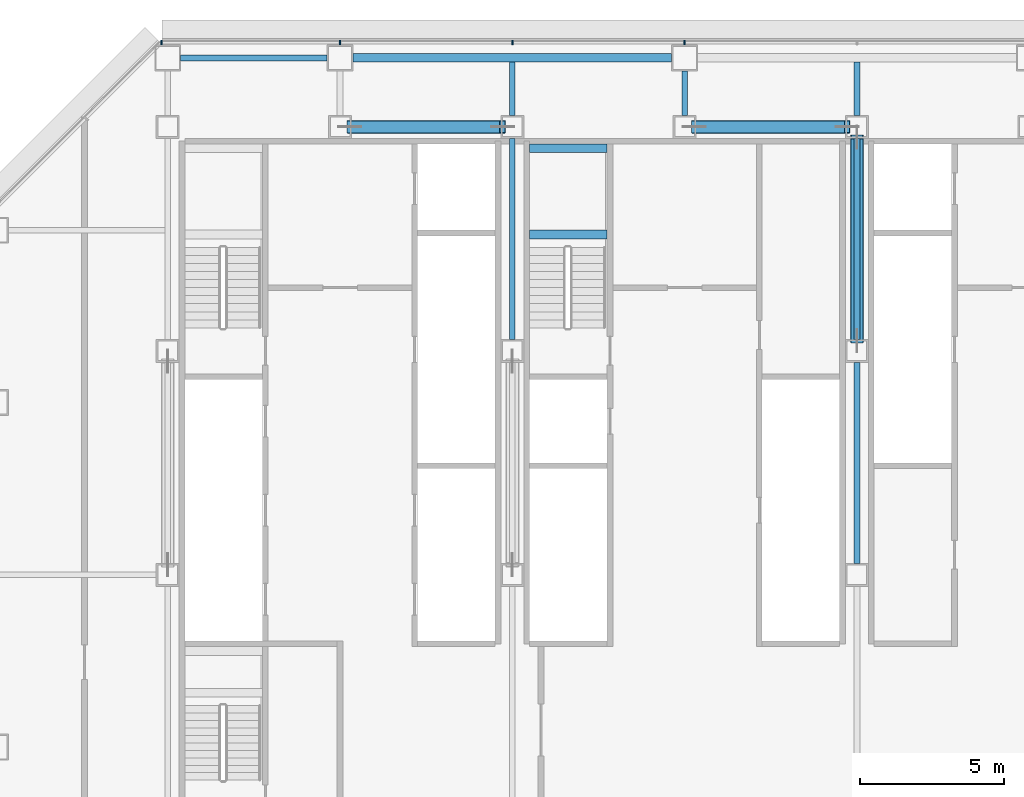
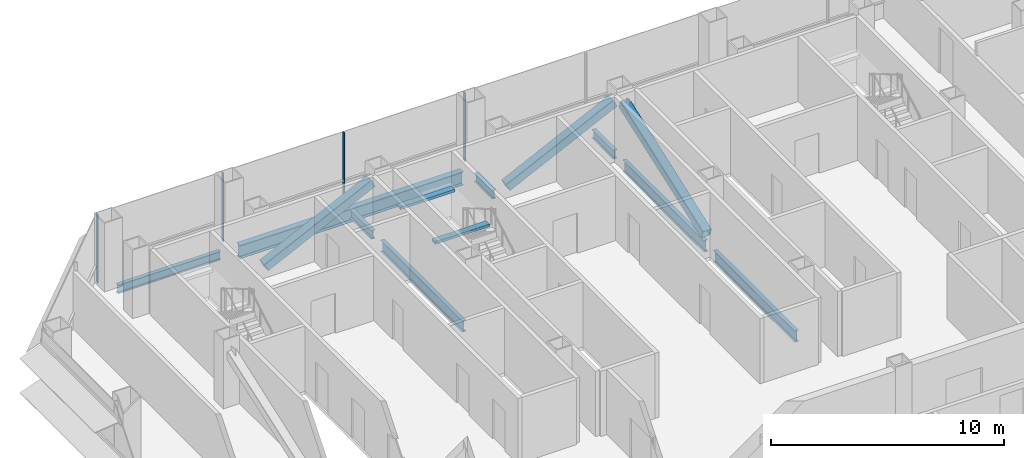
# One storey, part 12 of 26: 10 beams, 7 members, 1 element without a shape of its own.
"""IFC4 building model written with IfcOpenShell, lengths in metres."""

import ifcopenshell
import ifcopenshell.guid

model = None  # the IFC model being written
_history = None  # IfcOwnerHistory: only IFC2X3 demands one
_inside = {}  # id of a spatial element -> (the spatial element, [elements in it])
_under = {}  # id of a project, library or spatial element -> (it, [spatial elements below it])
_declared = {}  # id of a project -> (the project, [libraries it declares])
_typed = {}  # id of a type object -> (the type object, [elements of that type])
_made_of = {}  # id of a material, layer set ... -> (it, [elements and type objects made of it])


def new_model(schema):
    """Start an empty IFC model of exactly this schema.

    Asked for "IFC4X3", IfcOpenShell would pick the latest addendum, in which some entities
    have other attributes; the version numbers below select the first issue.
    IFC2X3 requires an IfcOwnerHistory on every rooted entity: one is made here for all.
    """
    global model, _history
    if schema == "IFC4X3":
        model = ifcopenshell.file(schema_version=(4, 3, 0, 0))
    else:
        model = ifcopenshell.file(schema=schema)
    _inside.clear()
    _under.clear()
    _declared.clear()
    _typed.clear()
    _made_of.clear()
    _history = None
    if model.schema == "IFC2X3":
        org = make("IfcOrganization", Name="unknown")
        user = make(
            "IfcPersonAndOrganization",
            ThePerson=make("IfcPerson", FamilyName="unknown"),
            TheOrganization=org,
        )
        app = make(
            "IfcApplication",
            ApplicationDeveloper=org,
            Version="unknown",
            ApplicationFullName="unknown",
            ApplicationIdentifier="unknown",
        )
        _history = make(
            "IfcOwnerHistory",
            OwningUser=user,
            OwningApplication=app,
            ChangeAction="ADDED",
            CreationDate=0,
        )
    return model


def make(cls, **values):
    """One entity of the class cls with the attributes given. An attribute that is None is left unset."""
    return model.create_entity(
        cls, **{name: value for name, value in values.items() if value is not None}
    )


def rooted(cls, **values):
    """An entity with a GlobalId (a new one), such as an element, a storey or a relation."""
    return make(cls, GlobalId=ifcopenshell.guid.new(), OwnerHistory=_history, **values)


def si_unit(unit_type, name, prefix=None):
    """IfcSIUnit, for example si_unit("LENGTHUNIT", "METRE", prefix="MILLI")."""
    return make("IfcSIUnit", UnitType=unit_type, Prefix=prefix, Name=name)


def assignment(units):
    """IfcUnitAssignment: the units of a project."""
    return None if units is None else make("IfcUnitAssignment", Units=units)


def point(xyz):
    """IfcCartesianPoint."""
    return None if xyz is None else make("IfcCartesianPoint", Coordinates=xyz)


def direction(xyz):
    """IfcDirection."""
    return None if xyz is None else make("IfcDirection", DirectionRatios=xyz)


def frame(location, z_axis=None, x_axis=None):
    """IfcAxis2Placement3D, a coordinate frame: its origin and axes. An axis left out is left unset."""
    return make(
        "IfcAxis2Placement3D",
        Location=point(location),
        Axis=direction(z_axis),
        RefDirection=direction(x_axis),
    )


def frame_2d(location, x_axis=None):
    """IfcAxis2Placement2D, a coordinate frame in the plane: its origin and x axis."""
    return make(
        "IfcAxis2Placement2D", Location=point(location), RefDirection=direction(x_axis)
    )


def origin():
    """The frame at (0, 0, 0) with its axes left unset."""
    return frame((0.0, 0.0, 0.0))


def origin_2d():
    """The frame at (0, 0) in the plane with its x axis left unset."""
    return frame_2d((0.0, 0.0))


def place(relative_to, where):
    """IfcLocalPlacement: puts the frame where relative to a parent placement (None: the world)."""
    return make(
        "IfcLocalPlacement", PlacementRelTo=relative_to, RelativePlacement=where
    )


def context(
    kind, dimensions, precision=None, world=None, true_north=None, identifier=None
):
    """IfcGeometricRepresentationContext, for example the 3D "Model" context."""
    return make(
        "IfcGeometricRepresentationContext",
        ContextIdentifier=identifier,
        ContextType=kind,
        CoordinateSpaceDimension=dimensions,
        Precision=precision,
        WorldCoordinateSystem=world,
        TrueNorth=true_north,
    )


def subcontext(parent, identifier, kind, view, scale=None):
    """IfcGeometricRepresentationSubContext, for example "Body" below "Model"."""
    return make(
        "IfcGeometricRepresentationSubContext",
        ContextIdentifier=identifier,
        ContextType=kind,
        ParentContext=parent,
        TargetScale=scale,
        TargetView=view,
    )


def project(units=None, contexts=None):
    """IfcProject with its units and contexts."""
    return rooted(
        "IfcProject",
        Name="project",
        RepresentationContexts=contexts,
        UnitsInContext=assignment(units),
    )


def spatial(cls, under=None, at=None, **own):
    """A site, building, storey or space (cls), placed at a placement, below another one or the project."""
    s = rooted(cls, ObjectPlacement=at, **own)
    if under is not None:
        _under.setdefault(under.id(), (under, []))[1].append(s)
    return s


def profile(cls, at=None, kind="AREA", **sizes):
    """A parametric profile (cls). Its sizes go by their IFC names, for example OverallWidth=200.0."""
    return make(cls, ProfileType=kind, Position=at, **sizes)


def rectangle(**sizes):
    """IfcRectangleProfileDef."""
    return profile("IfcRectangleProfileDef", **sizes)


def hollow_rectangle(**sizes):
    """IfcRectangleHollowProfileDef."""
    return profile("IfcRectangleHollowProfileDef", **sizes)


def i_section(**sizes):
    """IfcIShapeProfileDef."""
    return profile("IfcIShapeProfileDef", **sizes)


def extrude(swept, where, along, depth):
    """IfcExtrudedAreaSolid: the profile swept, set in the frame where, extruded along a direction by depth."""
    return make(
        "IfcExtrudedAreaSolid",
        SweptArea=swept,
        Position=where,
        ExtrudedDirection=direction(along),
        Depth=depth,
    )


def shape(context_of_items, identifier, shape_type, items):
    """IfcShapeRepresentation: the items that make up one representation, for example the "Body"."""
    return make(
        "IfcShapeRepresentation",
        ContextOfItems=context_of_items,
        RepresentationIdentifier=identifier,
        RepresentationType=shape_type,
        Items=items,
    )


def material(Name=None, Category=None):
    """IfcMaterial."""
    return make("IfcMaterial", Name=Name, Category=Category)


def material_profile(
    of_material, cross_section, Name=None, Category=None, Priority=None
):
    """IfcMaterialProfile: a cross section and its material."""
    return make(
        "IfcMaterialProfile",
        Name=Name,
        Material=of_material,
        Profile=cross_section,
        Priority=Priority,
        Category=Category,
    )


def profile_set(profiles, Name=None, composite=None):
    """IfcMaterialProfileSet."""
    return make(
        "IfcMaterialProfileSet",
        Name=Name,
        MaterialProfiles=profiles,
        CompositeProfile=composite,
    )


def made_of(thing, what):
    """Note that an element or type object is made of a material, layer set ...; save() writes the relation."""
    if what is not None:
        _made_of.setdefault(what.id(), (what, []))[1].append(thing)
    return thing


def type_object(cls, material=None, **own):
    """A type object (cls), such as IfcWallType, which elements share."""
    return made_of(rooted(cls, **own), material)


def element(
    cls,
    number,
    at=None,
    inside=None,
    cuts=None,
    type_object=None,
    material=None,
    context=None,
    identifier="Body",
    shape_type=None,
    held_by="IfcProductDefinitionShape",
    body=None,
    shapes=None,
    **own,
):
    """One element of the class cls, such as IfcWall. Its Tag is "e" and its number.

    at: its placement. inside: the storey or other place that contains it. cuts: it is an
    opening in that element (IfcRelVoidsElement). A single representation is given by context,
    identifier, shape_type and body (its items); several are given by shapes. held_by: the class
    of the entity that holds the representations. save() writes the other relations.
    """
    e = rooted(cls, Tag="e%d" % number, ObjectPlacement=at, **own)
    if body is not None:
        shapes = [shape(context, identifier, shape_type, body)]
    if shapes is not None:
        e.Representation = make(held_by, Representations=shapes)
    if inside is not None:
        _inside.setdefault(inside.id(), (inside, []))[1].append(e)
    if cuts is not None:
        rooted(
            "IfcRelVoidsElement", RelatingBuildingElement=cuts, RelatedOpeningElement=e
        )
    if type_object is not None:
        _typed.setdefault(type_object.id(), (type_object, []))[1].append(e)
    return made_of(e, material)


def aggregate(whole, parts):
    """IfcRelAggregates: a whole, such as a stair, and the parts it consists of."""
    return rooted("IfcRelAggregates", RelatingObject=whole, RelatedObjects=parts)


def save(model, path):
    """Write the relations noted so far, then the file.

    IfcRelAggregates (storeys below a building ...), IfcRelContainedInSpatialStructure (elements
    in a storey), IfcRelDefinesByType, IfcRelAssociatesMaterial and IfcRelDeclares: one each for
    every whole, place, type object, material and project.
    """
    for whole, parts in _under.values():
        aggregate(whole, parts)
    for where, things in _inside.values():
        rooted(
            "IfcRelContainedInSpatialStructure",
            RelatedElements=things,
            RelatingStructure=where,
        )
    for kind, things in _typed.values():
        rooted("IfcRelDefinesByType", RelatedObjects=things, RelatingType=kind)
    for what, things in _made_of.values():
        rooted("IfcRelAssociatesMaterial", RelatedObjects=things, RelatingMaterial=what)
    for by, libraries in _declared.values():
        rooted("IfcRelDeclares", RelatingContext=by, RelatedDefinitions=libraries)
    model.write(path)


model = new_model("IFC4")

# Units and contexts
model_context = context("Model", 3, precision=1e-05, world=origin(), true_north=direction((0.0, 1.0)))
body_context = subcontext(model_context, "Body", "Model", "MODEL_VIEW")
ifc_project = project(units=[si_unit("LENGTHUNIT", "METRE"), si_unit("AREAUNIT", "SQUARE_METRE"), si_unit("VOLUMEUNIT", "CUBIC_METRE"), si_unit("PLANEANGLEUNIT", "RADIAN"), si_unit("MASSUNIT", "GRAM", prefix="KILO")], contexts=[model_context])

# Site, building, storey
site_placement = place(None, origin())
site = spatial("IfcSite", under=ifc_project, at=site_placement, CompositionType="ELEMENT")
building_placement = place(site_placement, origin())
building = spatial("IfcBuilding", under=site, at=building_placement, Name="Sorahane Residences", CompositionType="ELEMENT")
storey_placement = place(building_placement, frame((0.0, 0.0, 71.39990234375)))
storey = spatial("IfcBuildingStorey", under=building, at=storey_placement, Name="L14", CompositionType="ELEMENT", Elevation=71.39990234375)

# Members
ifc_material_1 = material(Name="Steel Q355B", Category="steel")
ifc_material_profile_1 = material_profile(ifc_material_1, hollow_rectangle(XDim=0.449951171875, YDim=0.449951171875, WallThickness=0.02197265625, InnerFilletRadius=0.010986328125, OuterFilletRadius=0.032958984375, at=origin_2d()), Name="RHS 450x450x22")
ifc_profile_set_1 = profile_set([ifc_material_profile_1], Name="Steel Q355B")
member_type_1 = type_object("IfcMemberType", Name="Core brace RHS 450x450x22 Q355B", PredefinedType="BRACE", material=ifc_profile_set_1)
for number, where, z_axis, x_axis, name in (
    (1, (12.341064453125, 45.60009765625, 0.196533203125), (0.899894691922, 0.0, 0.436107261405), (0.0, 1.0, 0.0), "Core brace L14 y45.6-2"),
    (2, (24.341064453125, 45.60009765625, 0.196533203125), (0.899894691922, 0.0, 0.436107261405), (0.0, 1.0, 0.0), "Core brace L14 y45.6-4"),
):
    element("IfcMember", number, at=place(storey_placement, frame(where, z_axis=z_axis, x_axis=x_axis)), inside=storey, type_object=member_type_1, Name=name, PredefinedType="BRACE", context=body_context, shape_type="SweptSolid", body=[
        extrude(hollow_rectangle(XDim=0.449951171875, YDim=0.449951171875, WallThickness=0.02197265625, InnerFilletRadius=0.010986328125, OuterFilletRadius=0.032958984375, at=origin_2d()), origin(), (0.0, 0.0, 1.0), 5.909423828125),
    ])
member_1_placement = place(storey_placement, frame((30.0, 38.154296875, 0.208740234375), z_axis=(0.0, 0.940893192956, 0.338703409266), x_axis=(-1.0, 0.0, 0.0)))
element("IfcMember", 3, at=member_1_placement, inside=storey, type_object=member_type_1, Name="Core brace L14 x30-2", PredefinedType="BRACE", context=body_context, shape_type="SweptSolid", body=[
    extrude(hollow_rectangle(XDim=0.449951171875, YDim=0.449951171875, WallThickness=0.02197265625, InnerFilletRadius=0.010986328125, OuterFilletRadius=0.032958984375, at=origin_2d()), origin(), (0.0, 0.0, 1.0), 7.536865234375),
])

# Curtain wall, members
ifc_material_2 = material(Name="Dark low-e glass and black anodised aluminium", Category="aluminium")
curtain_wall_type = type_object("IfcCurtainWallType", Name="Curtain wall CW-1 Typical unitised wall", PredefinedType="NOTDEFINED", material=ifc_material_2)
curtain_wall_placement = place(storey_placement, origin())
curtain_wall = element("IfcCurtainWall", 4, at=curtain_wall_placement, inside=storey, type_object=curtain_wall_type, Name="CW-1 curtain wall L14 N1", PredefinedType="NOTDEFINED")
ifc_material_3 = material(Name="Black anodised aluminium", Category="aluminium")
ifc_material_profile_2 = material_profile(ifc_material_3, rectangle(XDim=0.159912109375, YDim=0.050048828125, at=origin_2d()), Name="Curtain wall mullion CW-1 black anodised aluminium 50x160")
ifc_profile_set_2 = profile_set([ifc_material_profile_2], Name="Black anodised aluminium")
member_type_2 = type_object("IfcMemberType", Name="Curtain wall mullion CW-1 black anodised aluminium 50x160", PredefinedType="MULLION", material=ifc_profile_set_2)
member_2_placement = place(storey_placement, frame((24.0, 48.5400390625, -0.179931640625), z_axis=(0.0, 0.0, 1.0), x_axis=(0.0, 1.0, 0.0)))
member_2 = element("IfcMember", 5, at=member_2_placement, type_object=member_type_2, Name="CW-1 mullion L14 N1.7", PredefinedType="MULLION", context=body_context, shape_type="SweptSolid", body=[
    extrude(rectangle(XDim=0.159912109375, YDim=0.050048828125, at=origin_2d()), origin(), (0.0, 0.0, 1.0), 3.60009765625),
])
member_3_placement = place(storey_placement, frame((18.0, 48.5400390625, -0.179931640625), z_axis=(0.0, 0.0, 1.0), x_axis=(0.0, 1.0, 0.0)))
member_3 = element("IfcMember", 6, at=member_3_placement, type_object=member_type_2, Name="CW-1 mullion L14 N1.8", PredefinedType="MULLION", context=body_context, shape_type="SweptSolid", body=[
    extrude(rectangle(XDim=0.159912109375, YDim=0.050048828125, at=origin_2d()), origin(), (0.0, 0.0, 1.0), 3.60009765625),
])
member_4_placement = place(storey_placement, frame((12.0, 48.5400390625, -0.179931640625), z_axis=(0.0, 0.0, 1.0), x_axis=(0.0, 1.0, 0.0)))
member_4 = element("IfcMember", 7, at=member_4_placement, type_object=member_type_2, Name="CW-1 mullion L14 N1.9", PredefinedType="MULLION", context=body_context, shape_type="SweptSolid", body=[
    extrude(rectangle(XDim=0.159912109375, YDim=0.050048828125, at=origin_2d()), origin(), (0.0, 0.0, 1.0), 3.60009765625),
])
member_5_placement = place(storey_placement, frame((5.7763671875, 48.5400390625, -0.179931640625), z_axis=(0.0, 0.0, 1.0), x_axis=(0.0, 1.0, 0.0)))
member_5 = element("IfcMember", 8, at=member_5_placement, type_object=member_type_2, Name="CW-1 mullion L14 N1.10", PredefinedType="MULLION", context=body_context, shape_type="SweptSolid", body=[
    extrude(rectangle(XDim=0.159912109375, YDim=0.050048828125, at=origin_2d()), origin(), (0.0, 0.0, 1.0), 3.60009765625),
])
aggregate(curtain_wall, [member_2, member_3, member_4, member_5])

# Beams
ifc_material_4 = material(Name="Concrete C40", Category="concrete")
ifc_material_profile_3 = material_profile(ifc_material_4, rectangle(XDim=0.300048828125, YDim=0.139892578125, at=origin_2d()), Name="300x140")
ifc_profile_set_3 = profile_set([ifc_material_profile_3], Name="Concrete C40")
beam_type_1 = type_object("IfcBeamType", Name="RC landing beam 300 x 140 Concrete C40", PredefinedType="BEAM", material=ifc_profile_set_3)
for number, where, z_axis, x_axis, name in (
    (9, (18.60009765625, 41.85009765625, 1.530029296875), (1.0, 0.0, 0.0), (0.0, 1.0, 0.0), "Landing beam"),
    (10, (18.60009765625, 44.85009765625, 1.530029296875), (1.0, 0.0, 0.0), (0.0, 1.0, 0.0), "Landing beam"),
):
    element("IfcBeam", number, at=place(storey_placement, frame(where, z_axis=z_axis, x_axis=x_axis)), inside=storey, type_object=beam_type_1, Name=name, PredefinedType="BEAM", context=body_context, shape_type="SweptSolid", body=[
        extrude(rectangle(XDim=0.300048828125, YDim=0.139892578125, at=origin_2d()), origin(), (0.0, 0.0, 1.0), 2.699951171875),
    ])
ifc_material_5 = material(Name="Steel Q355B", Category="steel")
ifc_material_profile_4 = material_profile(ifc_material_5, i_section(OverallWidth=0.199951171875, OverallDepth=0.449951171875, WebThickness=0.009033203125, FlangeThickness=0.013916015625, FilletRadius=0.02001953125, at=origin_2d()), Name="HN 450x200x9x14")
ifc_profile_set_4 = profile_set([ifc_material_profile_4], Name="Steel Q355B")
beam_type_2 = type_object("IfcBeamType", Name="Steel floor beam HN 450x200x9x14 Q355B", PredefinedType="BEAM", material=ifc_profile_set_4)
beam_1_placement = place(storey_placement, frame((6.449951171875, 48.0, -0.40478515625), z_axis=(1.0, 0.0, 0.0), x_axis=(0.0, 1.0, 0.0)))
element("IfcBeam", 11, at=beam_1_placement, inside=storey, type_object=beam_type_2, Name="Beam L14 012", PredefinedType="BEAM", context=body_context, shape_type="SweptSolid", body=[
    extrude(i_section(OverallWidth=0.199951171875, OverallDepth=0.449951171875, WebThickness=0.009033203125, FlangeThickness=0.013916015625, FilletRadius=0.02001953125, at=origin_2d()), origin(), (0.0, 0.0, 1.0), 5.10009765625),
])
beam_2_placement = place(storey_placement, frame((18.0, 46.0, -0.40478515625), z_axis=(0.0, 1.0, 0.0), x_axis=(-1.0, 0.0, 0.0)))
element("IfcBeam", 12, at=beam_2_placement, inside=storey, type_object=beam_type_2, Name="Beam L14 034", PredefinedType="BEAM", context=body_context, shape_type="SweptSolid", body=[
    extrude(i_section(OverallWidth=0.199951171875, OverallDepth=0.449951171875, WebThickness=0.009033203125, FlangeThickness=0.013916015625, FilletRadius=0.02001953125, at=origin_2d()), origin(), (0.0, 0.0, 1.0), 1.85009765625),
])
beam_3_placement = place(storey_placement, frame((24.0, 46.0, -0.40478515625), z_axis=(0.0, 1.0, 0.0), x_axis=(-1.0, 0.0, 0.0)))
element("IfcBeam", 13, at=beam_3_placement, inside=storey, type_object=beam_type_2, Name="Beam L14 036", PredefinedType="BEAM", context=body_context, shape_type="SweptSolid", body=[
    extrude(i_section(OverallWidth=0.199951171875, OverallDepth=0.449951171875, WebThickness=0.009033203125, FlangeThickness=0.013916015625, FilletRadius=0.02001953125, at=origin_2d()), origin(), (0.0, 0.0, 1.0), 1.550048828125),
])
beam_4_placement = place(storey_placement, frame((30.0, 46.0, -0.40478515625), z_axis=(0.0, 1.0, 0.0), x_axis=(-1.0, 0.0, 0.0)))
element("IfcBeam", 14, at=beam_4_placement, inside=storey, type_object=beam_type_2, Name="Beam L14 042", PredefinedType="BEAM", context=body_context, shape_type="SweptSolid", body=[
    extrude(i_section(OverallWidth=0.199951171875, OverallDepth=0.449951171875, WebThickness=0.009033203125, FlangeThickness=0.013916015625, FilletRadius=0.02001953125, at=origin_2d()), origin(), (0.0, 0.0, 1.0), 1.85009765625),
])
ifc_material_6 = material(Name="Steel Q355B", Category="steel")
ifc_material_profile_5 = material_profile(ifc_material_6, i_section(OverallWidth=0.199951171875, OverallDepth=0.60009765625, WebThickness=0.010986328125, FlangeThickness=0.01708984375, FilletRadius=0.02392578125, at=origin_2d()), Name="HN 600x200x11x17")
ifc_profile_set_5 = profile_set([ifc_material_profile_5], Name="Steel Q355B")
beam_type_3 = type_object("IfcBeamType", Name="Steel floor beam HN 600x200x11x17 Q355B", PredefinedType="BEAM", material=ifc_profile_set_5)
for number, where, z_axis, x_axis, name in (
    (15, (18.0, 38.199951171875, -0.47998046875), (0.0, 1.0, 0.0), (-1.0, 0.0, 0.0), "Beam L14 033"),
    (16, (30.0, 30.39990234375, -0.47998046875), (0.0, 1.0, 0.0), (-1.0, 0.0, 0.0), "Beam L14 040"),
    (17, (30.0, 38.199951171875, -0.47998046875), (0.0, 1.0, 0.0), (-1.0, 0.0, 0.0), "Beam L14 041"),
):
    element("IfcBeam", number, at=place(storey_placement, frame(where, z_axis=z_axis, x_axis=x_axis)), inside=storey, type_object=beam_type_3, Name=name, PredefinedType="BEAM", context=body_context, shape_type="SweptSolid", body=[
        extrude(i_section(OverallWidth=0.199951171875, OverallDepth=0.60009765625, WebThickness=0.010986328125, FlangeThickness=0.01708984375, FilletRadius=0.02392578125, at=origin_2d()), origin(), (0.0, 0.0, 1.0), 7.0),
    ])
ifc_material_7 = material(Name="Steel Q355B", Category="steel")
ifc_material_profile_6 = material_profile(ifc_material_7, i_section(OverallWidth=0.300048828125, OverallDepth=0.699951171875, WebThickness=0.012939453125, FlangeThickness=0.02392578125, FilletRadius=0.028076171875, at=origin_2d()), Name="HN 700x300x13x24")
ifc_profile_set_6 = profile_set([ifc_material_profile_6], Name="Steel Q355B")
beam_type_4 = type_object("IfcBeamType", Name="Steel floor beam HN 700x300x13x24 Q355B", PredefinedType="BEAM", material=ifc_profile_set_6)
beam_5_placement = place(storey_placement, frame((12.449951171875, 48.0, -0.52978515625), z_axis=(1.0, 0.0, 0.0), x_axis=(0.0, 1.0, 0.0)))
element("IfcBeam", 18, at=beam_5_placement, inside=storey, type_object=beam_type_4, Name="Beam L14 013", PredefinedType="BEAM", context=body_context, shape_type="SweptSolid", body=[
    extrude(i_section(OverallWidth=0.300048828125, OverallDepth=0.699951171875, WebThickness=0.012939453125, FlangeThickness=0.02392578125, FilletRadius=0.028076171875, at=origin_2d()), origin(), (0.0, 0.0, 1.0), 11.10009765625),
])

save(model, "model.ifc")
